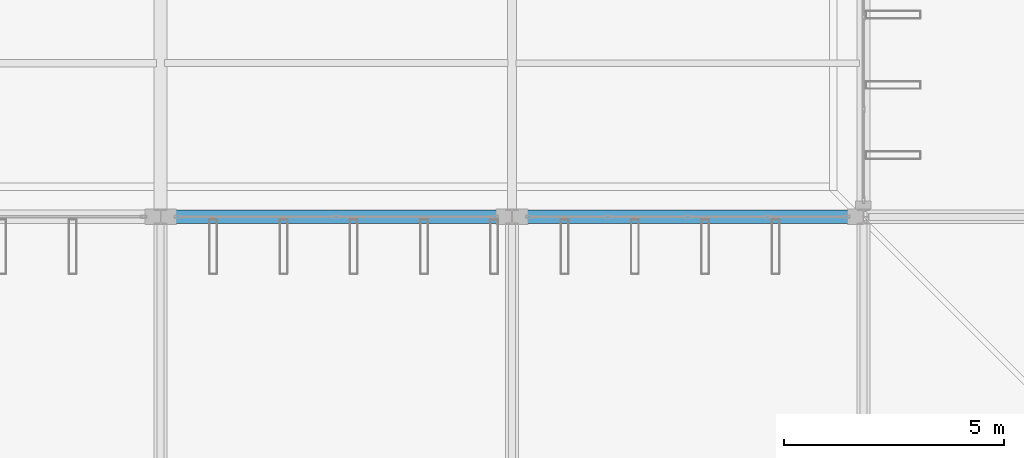
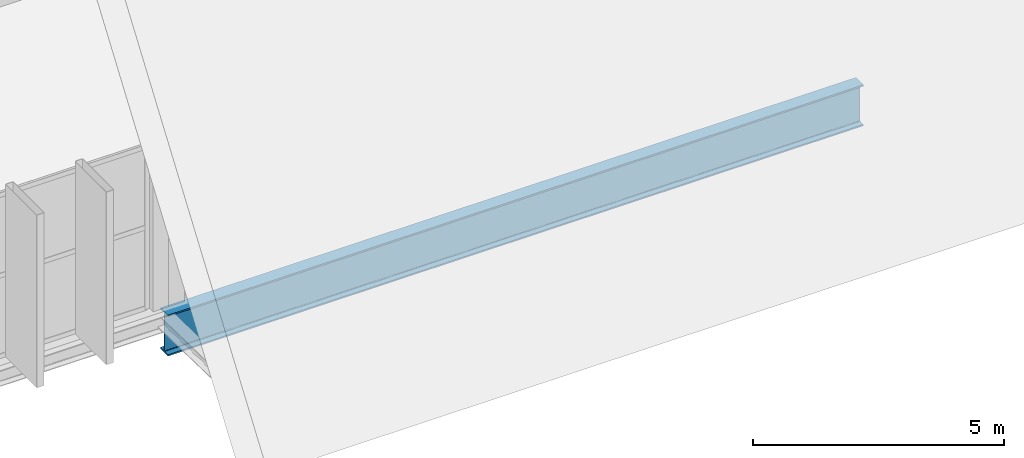
# One storey, part 36 of 93: 1 beam.
"""IFC4 building model written with IfcOpenShell, lengths in metres."""

from ifc_helpers import new_model, si_unit, direction, frame, origin, origin_2d, place, context, subcontext, project, spatial, i_section, extrude, material, material_profile, profile_set, type_object, element, save


model = new_model("IFC4")

# Units and contexts
model_context = context("Model", 3, precision=1e-05, world=origin(), true_north=direction((0.0, 1.0)))
body_context = subcontext(model_context, "Body", "Model", "MODEL_VIEW")
ifc_project = project(units=[si_unit("LENGTHUNIT", "METRE"), si_unit("AREAUNIT", "SQUARE_METRE"), si_unit("VOLUMEUNIT", "CUBIC_METRE"), si_unit("PLANEANGLEUNIT", "RADIAN"), si_unit("MASSUNIT", "GRAM", prefix="KILO")], contexts=[model_context])

# Site, building, storey
site_placement = place(None, origin())
site = spatial("IfcSite", under=ifc_project, at=site_placement, CompositionType="ELEMENT")
building_placement = place(site_placement, origin())
building = spatial("IfcBuilding", under=site, at=building_placement, Name="Vekula Escarpment Museum", CompositionType="ELEMENT")
storey_placement = place(building_placement, frame((0.0, 0.0, 22.199951171875)))
storey = spatial("IfcBuildingStorey", under=building, at=storey_placement, Name="L05", CompositionType="ELEMENT", Elevation=22.199951171875)

# Beam
ifc_material = material(Name="Steel S355", Category="steel")
ifc_material_profile = material_profile(ifc_material, i_section(OverallWidth=0.300048828125, OverallDepth=1.0, WebThickness=0.01904296875, FlangeThickness=0.035888671875, FilletRadius=0.030029296875, at=origin_2d()), Name="HEB 1000")
ifc_profile_set = profile_set([ifc_material_profile], Name="Steel S355")
beam_type = type_object("IfcBeamType", Name="BM-TRUSS-CHORD-BOT", PredefinedType="BEAM", material=ifc_profile_set)
beam_placement = place(storey_placement, frame((110.0, 45.60009765625, -0.719970703125), z_axis=(1.0, 0.0, 0.0), x_axis=(0.0, 1.0, 0.0)))
element("IfcBeam", 1, at=beam_placement, inside=storey, type_object=beam_type, Name="Beam X L05 1961", PredefinedType="BEAM", context=body_context, shape_type="SweptSolid", body=[
    extrude(i_section(OverallWidth=0.300048828125, OverallDepth=1.0, WebThickness=0.01904296875, FlangeThickness=0.035888671875, FilletRadius=0.030029296875, at=origin_2d()), origin(), (0.0, 0.0, 1.0), 16.0),
])

save(model, "model.ifc")
